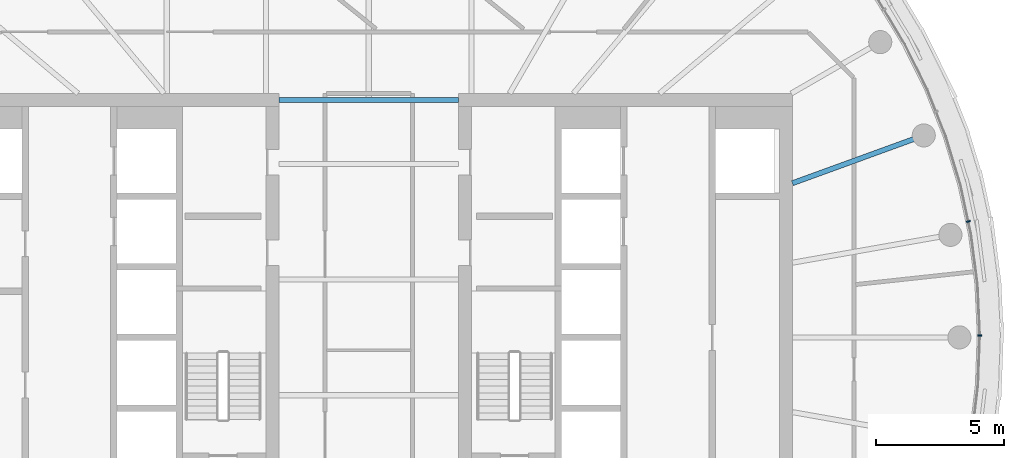
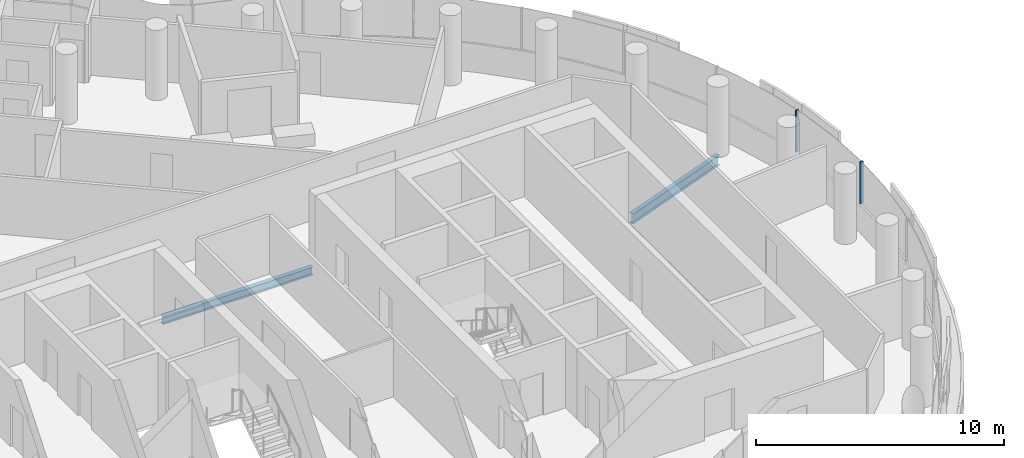
# One storey, part 10 of 25: 2 beams, 2 members, 1 element without a shape of its own.
"""IFC4 building model written with IfcOpenShell, lengths in metres."""

from ifc_helpers import new_model, si_unit, direction, frame, origin, origin_2d, place, context, subcontext, project, spatial, rectangle, i_section, extrude, material, layer, layer_set, material_profile, profile_set, type_object, element, aggregate, save


model = new_model("IFC4")

# Units and contexts
model_context = context("Model", 3, precision=1e-05, world=origin(), true_north=direction((0.0, 1.0)))
body_context = subcontext(model_context, "Body", "Model", "MODEL_VIEW")
ifc_project = project(units=[si_unit("LENGTHUNIT", "METRE"), si_unit("AREAUNIT", "SQUARE_METRE"), si_unit("VOLUMEUNIT", "CUBIC_METRE"), si_unit("PLANEANGLEUNIT", "RADIAN"), si_unit("MASSUNIT", "GRAM", prefix="KILO")], contexts=[model_context])

# Site, building, storey
site_placement = place(None, origin())
site = spatial("IfcSite", under=ifc_project, at=site_placement, CompositionType="ELEMENT")
building_placement = place(site_placement, origin())
building = spatial("IfcBuilding", under=site, at=building_placement, Name="Tamarind Cross Interchange Tower", CompositionType="ELEMENT")
storey_placement = place(building_placement, frame((0.0, 0.0, 219.89990234375)))
storey = spatial("IfcBuildingStorey", under=building, at=storey_placement, Name="L55", CompositionType="ELEMENT", Elevation=219.89990234375)

# Beams
ifc_material_1 = material(Name="Steel Q355B", Category="steel")
ifc_material_profile_1 = material_profile(ifc_material_1, i_section(OverallWidth=0.199951171875, OverallDepth=0.39990234375, WebThickness=0.008056640625, FlangeThickness=0.012939453125, FilletRadius=0.01611328125, at=origin_2d()), Name="HN 400x200x8x13")
ifc_profile_set_1 = profile_set([ifc_material_profile_1], Name="Steel Q355B")
beam_type_1 = type_object("IfcBeamType", Name="Composite beam HN 400x200x8x13 Q355B", PredefinedType="BEAM", material=ifc_profile_set_1)
beam_1_placement = place(storey_placement, frame((-3.5, 9.25, -0.33984375), z_axis=(1.0, 0.0, 0.0), x_axis=(0.0, 1.0, 0.0)))
element("IfcBeam", 1, at=beam_1_placement, inside=storey, type_object=beam_type_1, Name="Beam G9.25", PredefinedType="BEAM", context=body_context, shape_type="SweptSolid", body=[
    extrude(i_section(OverallWidth=0.199951171875, OverallDepth=0.39990234375, WebThickness=0.008056640625, FlangeThickness=0.012939453125, FilletRadius=0.01611328125, at=origin_2d()), origin(), (0.0, 0.0, 1.0), 7.0),
])
ifc_material_profile_2 = material_profile(ifc_material_1, i_section(OverallWidth=0.198974609375, OverallDepth=0.49609375, WebThickness=0.009033203125, FlangeThickness=0.013916015625, FilletRadius=0.012939453125, at=origin_2d()), Name="HN 496x199x9x14")
ifc_profile_set_2 = profile_set([ifc_material_profile_2], Name="Steel Q355B")
beam_type_2 = type_object("IfcBeamType", Name="Composite beam HN 496x199x9x14 Q355B", PredefinedType="BEAM", material=ifc_profile_set_2)
beam_2_placement = place(storey_placement, frame((21.613037109375, 7.866455078125, -0.387939453125), z_axis=(-0.939701685589, -0.341995236956, 0.0), x_axis=(0.341995236956, -0.939701685589, 0.0)))
element("IfcBeam", 2, at=beam_2_placement, inside=storey, type_object=beam_type_2, Name="Beam HH02", PredefinedType="BEAM", context=body_context, shape_type="SweptSolid", body=[
    extrude(i_section(OverallWidth=0.198974609375, OverallDepth=0.49609375, WebThickness=0.009033203125, FlangeThickness=0.013916015625, FilletRadius=0.012939453125, at=origin_2d()), origin(), (0.0, 0.0, 1.0), 5.441162109375),
])

# Curtain wall, members
ifc_material_2 = material(Name="Aluminium 6063-T6", Category="aluminium")
ifc_layer = layer(ifc_material_2, 0.14990234375)
ifc_layer_set = layer_set([ifc_layer], Name="Aluminium 6063-T6")
curtain_wall_type = type_object("IfcCurtainWallType", Name="Winter garden and crown curtain wall", PredefinedType="NOTDEFINED", material=ifc_layer_set)
curtain_wall_placement = place(storey_placement, origin())
curtain_wall = element("IfcCurtainWall", 3, at=curtain_wall_placement, inside=storey, type_object=curtain_wall_type, Name="CWS-L55-02", PredefinedType="NOTDEFINED")
ifc_material_profile_3 = material_profile(ifc_material_2, rectangle(XDim=0.06005859375, YDim=0.14990234375, at=origin_2d()), Name="Mullion CW6")
ifc_profile_set_3 = profile_set([ifc_material_profile_3], Name="Aluminium 6063-T6")
member_type = type_object("IfcMemberType", Name="Mullion CW6", PredefinedType="MULLION", material=ifc_profile_set_3)
member_1_placement = place(storey_placement, frame((23.794677734375, 0.077392578125, 1.400146484375), z_axis=(0.0, 0.0, 1.0), x_axis=(0.037024696392, 0.999314350871, 0.0)))
member_1 = element("IfcMember", 4, at=member_1_placement, type_object=member_type, Name="CWM-L55-02-14", PredefinedType="MULLION", context=body_context, shape_type="SweptSolid", body=[
    extrude(rectangle(XDim=0.06005859375, YDim=0.14990234375, at=origin_2d()), origin(), (0.0, 0.0, 1.0), 2.06005859375),
])
member_2_placement = place(storey_placement, frame((23.34765625, 4.5146484375, 1.400146484375), z_axis=(0.0, 0.0, 1.0), x_axis=(-0.209425419705, 0.977824623121, 0.0)))
member_2 = element("IfcMember", 5, at=member_2_placement, type_object=member_type, Name="CWM-L55-02-15", PredefinedType="MULLION", context=body_context, shape_type="SweptSolid", body=[
    extrude(rectangle(XDim=0.06005859375, YDim=0.14990234375, at=origin_2d()), origin(), (0.0, 0.0, 1.0), 2.06005859375),
])
aggregate(curtain_wall, [member_1, member_2])

save(model, "model.ifc")
